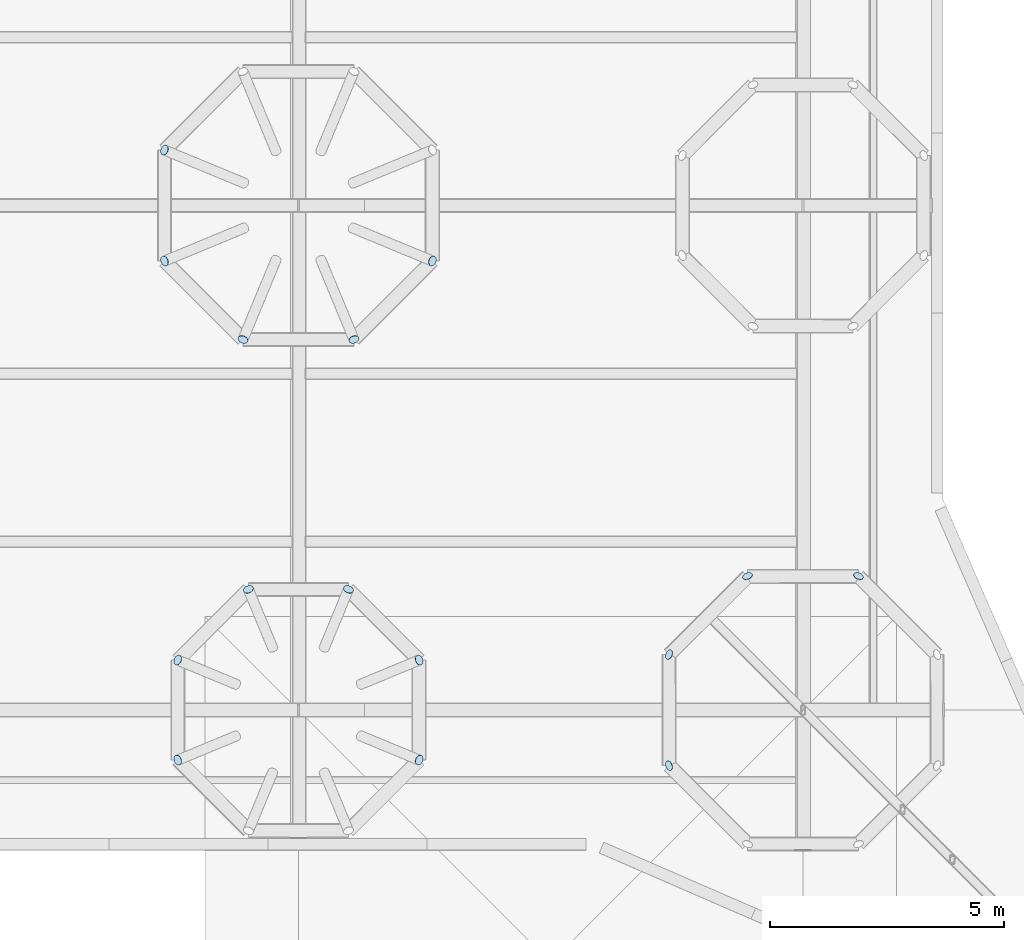
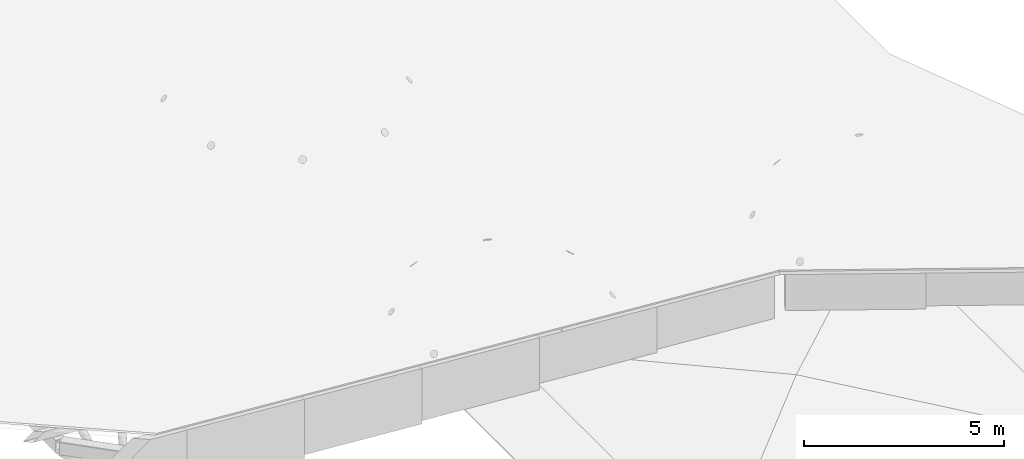
# One storey, part 61 of 95: 15 plates.
"""IFC4 building model written with IfcOpenShell, lengths in metres."""

from ifc_helpers import new_model, si_unit, direction, frame, origin, origin_2d, place, context, subcontext, project, spatial, circle, extrude, material, material_profile, profile_set, type_object, element, save


model = new_model("IFC4")

# Units and contexts
model_context = context("Model", 3, precision=1e-05, world=origin(), true_north=direction((0.0, 1.0)))
body_context = subcontext(model_context, "Body", "Model", "MODEL_VIEW")
ifc_project = project(units=[si_unit("LENGTHUNIT", "METRE"), si_unit("AREAUNIT", "SQUARE_METRE"), si_unit("VOLUMEUNIT", "CUBIC_METRE"), si_unit("PLANEANGLEUNIT", "RADIAN"), si_unit("MASSUNIT", "GRAM", prefix="KILO")], contexts=[model_context])

# Site, building, storey
site_placement = place(None, origin())
site = spatial("IfcSite", under=ifc_project, at=site_placement, CompositionType="ELEMENT")
building_placement = place(site_placement, origin())
building = spatial("IfcBuilding", under=site, at=building_placement, Name="Magnolia Steps Interchange", CompositionType="ELEMENT")
storey_placement = place(building_placement, frame((0.0, 0.0, 4.800048828125)))
storey = spatial("IfcBuildingStorey", under=building, at=storey_placement, Name="L01", CompositionType="ELEMENT", Elevation=4.800048828125)

# Plates
ifc_material = material(Name="Steel Q355B", Category="steel")
ifc_material_profile = material_profile(ifc_material, circle(Radius=0.109619140625, at=origin_2d()), Name="End plate CHS219x10")
ifc_profile_set = profile_set([ifc_material_profile], Name="Steel Q355B")
plate_type = type_object("IfcPlateType", Name="End plate CHS219x10", PredefinedType="SHEET", material=ifc_profile_set)
for number, where, z_axis, x_axis, name in (
    (1, (174.580078125, 43.46875, 1.55615234375), (0.664583318381, 0.275279424158, 0.694658370398), (-0.382683432789, 0.923879532336, 0.0), "End plate Tree rib"),
    (2, (173.068603515625, 44.97998046875, 1.55615234375), (0.275279424158, 0.664583318381, 0.694658370398), (-0.923879532336, 0.382683432789, 0.0), "End plate Tree rib"),
    (3, (170.931396484375, 44.97998046875, 1.55615234375), (-0.275279424158, 0.664583318381, 0.694658370398), (-0.923879532336, -0.382683432789, 0.0), "End plate Tree rib"),
    (4, (169.419921875, 43.46875, 1.55615234375), (-0.664583318381, 0.275279424158, 0.694658370398), (-0.382683432789, -0.923879532336, 0.0), "End plate Tree rib"),
    (5, (169.419921875, 41.331298828125, 1.55615234375), (-0.664583318381, -0.275279424158, 0.694658370398), (0.382683432789, -0.923879532336, 0.0), "End plate Tree rib"),
    (6, (174.580078125, 41.331298828125, 1.55615234375), (0.664583318381, -0.275279424158, 0.694658370398), (0.382683432789, 0.923879532336, 0.0), "End plate Tree rib"),
    (7, (169.135986328125, 54.38623046875, 1.55615234375), (-0.664583318381, 0.275279424158, 0.694658370398), (-0.382683432789, -0.923879532336, 0.0), "End plate Tree rib"),
    (8, (169.135986328125, 52.013671875, 1.55615234375), (-0.664583318381, -0.275279424158, 0.694658370398), (0.382683432789, -0.923879532336, 0.0), "End plate Tree rib"),
    (9, (170.813720703125, 50.3359375, 1.55615234375), (-0.275279424158, -0.664583318381, 0.694658370398), (0.923879532336, -0.382683432789, 0.0), "End plate Tree rib"),
    (10, (173.186279296875, 50.3359375, 1.55615234375), (0.275279424158, -0.664583318381, 0.694658370398), (0.923879532336, 0.382683432789, 0.0), "End plate Tree rib"),
    (11, (174.864013671875, 52.013671875, 1.55615234375), (0.664583318381, -0.275279424158, 0.694658370398), (0.382683432789, 0.923879532336, 0.0), "End plate Tree rib"),
    (12, (183.986328125, 45.263916015625, 0.7685546875), (0.304377001973, 0.734831085934, 0.606117080946), (-0.923879532456, 0.3826834325, 0.0), "End plate Tree rib"),
    (13, (181.61376953125, 45.263916015625, 0.7685546875), (-0.304377001973, 0.734831085934, 0.606117080946), (-0.923879532456, -0.3826834325, 0.0), "End plate Tree rib"),
    (14, (179.93603515625, 43.586181640625, 0.7685546875), (-0.734831085934, 0.304377001973, 0.606117080946), (-0.3826834325, -0.923879532456, 0.0), "End plate Tree rib"),
    (15, (179.93603515625, 41.213623046875, 0.7685546875), (-0.734831085934, -0.304377001973, 0.606117080946), (0.3826834325, -0.923879532456, 0.0), "End plate Tree rib"),
):
    element("IfcPlate", number, at=place(storey_placement, frame(where, z_axis=z_axis, x_axis=x_axis)), inside=storey, type_object=plate_type, Name=name, PredefinedType="SHEET", context=body_context, shape_type="SweptSolid", body=[
        extrude(circle(Radius=0.109619140625, at=origin_2d()), origin(), (0.0, 0.0, 1.0), 0.008056640625),
    ])

save(model, "model.ifc")
